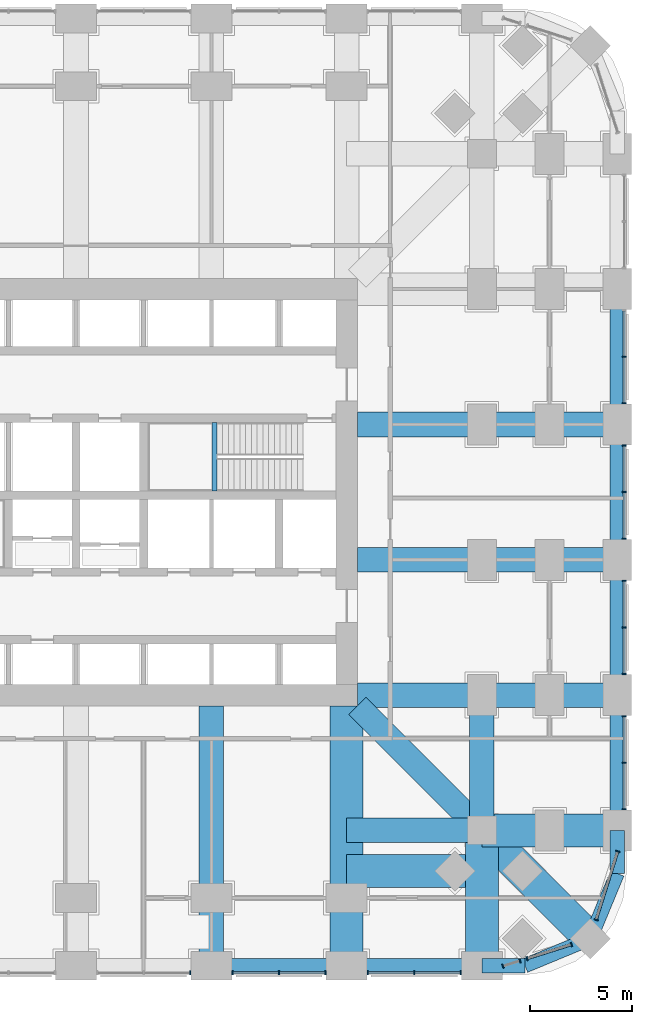
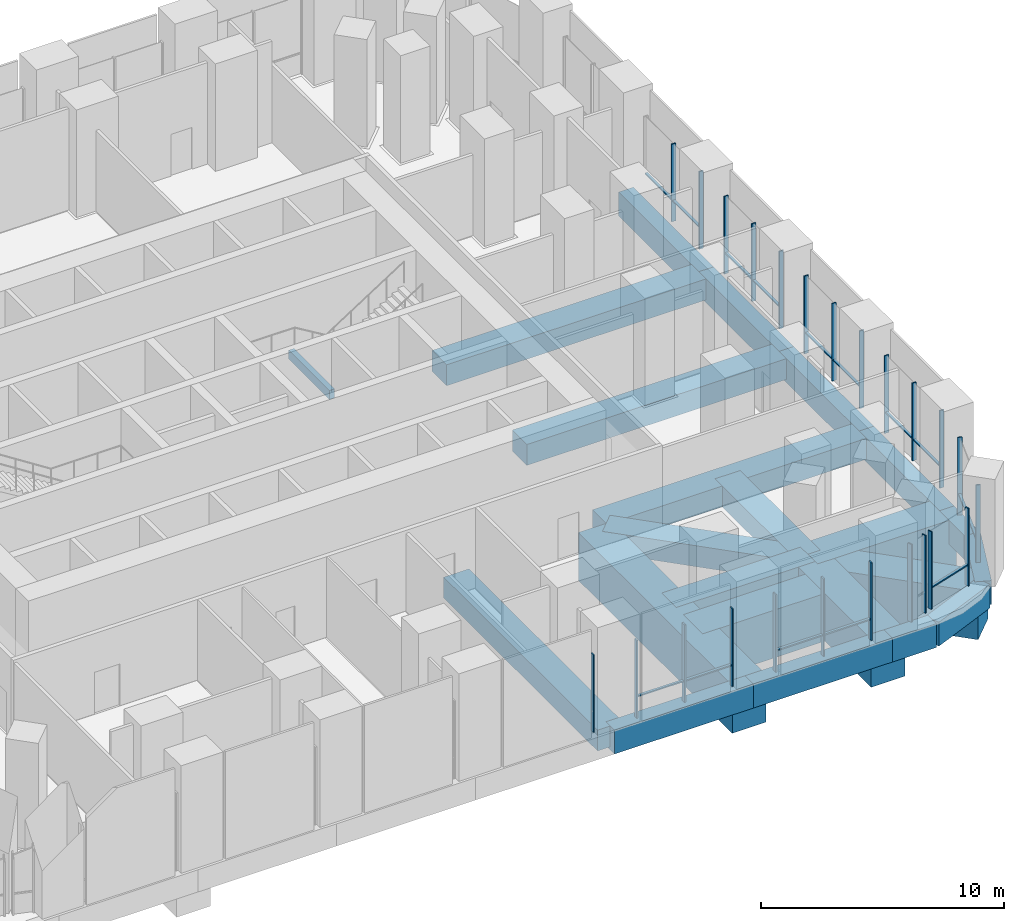
# One storey, part 4 of 17: 38 members, 23 beams, 10 elements without a shape of their own.
"""IFC4 building model written with IfcOpenShell, lengths in metres."""

from ifc_helpers import new_model, si_unit, direction, frame, origin, origin_2d, place, context, subcontext, project, spatial, rectangle, extrude, material, material_profile, profile_set, type_object, element, aggregate, save


model = new_model("IFC4")

# Units and contexts
model_context = context("Model", 3, precision=1e-05, world=origin(), true_north=direction((0.0, 1.0)))
body_context = subcontext(model_context, "Body", "Model", "MODEL_VIEW")
ifc_project = project(units=[si_unit("LENGTHUNIT", "METRE"), si_unit("AREAUNIT", "SQUARE_METRE"), si_unit("VOLUMEUNIT", "CUBIC_METRE"), si_unit("PLANEANGLEUNIT", "RADIAN"), si_unit("MASSUNIT", "GRAM", prefix="KILO")], contexts=[model_context])

# Site, building, storey
site_placement = place(None, origin())
site = spatial("IfcSite", under=ifc_project, at=site_placement, CompositionType="ELEMENT")
building_placement = place(site_placement, origin())
building = spatial("IfcBuilding", under=site, at=building_placement, Name="Cobogo Forest Laboratory Tower", CompositionType="ELEMENT")
storey_placement = place(building_placement, frame((0.0, 0.0, 7.199951171875)))
storey = spatial("IfcBuildingStorey", under=building, at=storey_placement, Name="L01", CompositionType="ELEMENT", Elevation=7.199951171875)

# Beams
ifc_material_1 = material(Name="Concrete HA-40 (C40/50)", Category="concrete")
ifc_material_profile_1 = material_profile(ifc_material_1, rectangle(XDim=0.25, YDim=0.449951171875, at=origin_2d()), Name="RC 250x450")
ifc_profile_set_1 = profile_set([ifc_material_profile_1], Name="Concrete HA-40 (C40/50)")
beam_type_1 = type_object("IfcBeamType", Name="LB1 landing beam 250x450", PredefinedType="BEAM", material=ifc_profile_set_1)
beam_1_placement = place(storey_placement, frame((33.14990234375, 23.14990234375, 2.275146484375), z_axis=(0.0, 1.0, 0.0), x_axis=(-1.0, 0.0, 0.0)))
element("IfcBeam", 1, at=beam_1_placement, inside=storey, type_object=beam_type_1, Name="Landing beam ST2 L01", PredefinedType="BEAM", context=body_context, shape_type="SweptSolid", body=[
    extrude(rectangle(XDim=0.25, YDim=0.449951171875, at=origin_2d()), origin(), (0.0, 0.0, 1.0), 3.35009765625),
])
ifc_material_profile_2 = material_profile(ifc_material_1, rectangle(XDim=1.199951171875, YDim=1.050048828125, at=origin_2d()), Name="RC 1200x1050")
ifc_profile_set_2 = profile_set([ifc_material_profile_2], Name="Concrete HA-40 (C40/50)")
beam_type_2 = type_object("IfcBeamType", Name="Laboratory floor wide beam 1200x1050", PredefinedType="BEAM", material=ifc_profile_set_2)
for number, where, z_axis, x_axis, name in (
    (2, (33.0, 12.675048828125, -0.824951171875), (0.0, -1.0, 0.0), (1.0, 0.0, 0.0), "RB1 R-6-S L01"),
    (3, (40.125, 13.199951171875, -0.824951171875), (1.0, 0.0, 0.0), (0.0, 1.0, 0.0), "RB1 R-C-E L01"),
    (4, (40.125, 19.800048828125, -0.824951171875), (1.0, 0.0, 0.0), (0.0, 1.0, 0.0), "RB1 R-D-E L01"),
    (5, (40.125, 26.39990234375, -0.824951171875), (1.0, 0.0, 0.0), (0.0, 1.0, 0.0), "RB1 R-E-E L01"),
):
    element("IfcBeam", number, at=place(storey_placement, frame(where, z_axis=z_axis, x_axis=x_axis)), inside=storey, type_object=beam_type_2, Name=name, PredefinedType="BEAM", context=body_context, shape_type="SweptSolid", body=[
        extrude(rectangle(XDim=1.199951171875, YDim=1.050048828125, at=origin_2d()), origin(), (0.0, 0.0, 1.0), 12.675048828125),
    ])
for number, where, z_axis, x_axis, name in (
    (6, (46.199951171875, 6.60009765625, -0.824951171875), (0.0, 1.0, 0.0), (-1.0, 0.0, 0.0), "RB1 G-SE-XC L01"),
    (7, (46.199951171875, 6.60009765625, -0.824951171875), (-1.0, 0.0, 0.0), (0.0, -1.0, 0.0), "RB1 G-SE-YC L01"),
):
    element("IfcBeam", number, at=place(storey_placement, frame(where, z_axis=z_axis, x_axis=x_axis)), inside=storey, type_object=beam_type_2, Name=name, PredefinedType="BEAM", context=body_context, shape_type="SweptSolid", body=[
        extrude(rectangle(XDim=1.199951171875, YDim=1.050048828125, at=origin_2d()), origin(), (0.0, 0.0, 1.0), 6.599853515625),
    ])
beam_2_placement = place(storey_placement, frame((46.199951171875, 6.60009765625, -0.824951171875), z_axis=(-0.707106781187, 0.707106781187, 0.0), x_axis=(-0.707106781187, -0.707106781187, 0.0)))
element("IfcBeam", 8, at=beam_2_placement, inside=storey, type_object=beam_type_2, Name="RB1 G-SE-D2 L01", PredefinedType="BEAM", context=body_context, shape_type="SweptSolid", body=[
    extrude(rectangle(XDim=1.199951171875, YDim=1.050048828125, at=origin_2d()), origin(), (0.0, 0.0, 1.0), 8.59130859375),
])

# Curtain wall, member
ifc_material_2 = material(Name="Aluminium curtain wall", Category="aluminium")
curtain_wall_type = type_object("IfcCurtainWallType", Name="CW-K stick curtain wall, podium laboratories", PredefinedType="USERDEFINED", material=ifc_material_2)
curtain_wall_1_placement = place(storey_placement, origin())
curtain_wall_1 = element("IfcCurtainWall", 9, at=curtain_wall_1_placement, inside=storey, type_object=curtain_wall_type, Name="Curtain wall 04 L01", ObjectType="STICK CURTAIN WALL", PredefinedType="USERDEFINED")
ifc_material_3 = material(Name="Aluminium mullion", Category="aluminium")
ifc_material_profile_3 = material_profile(ifc_material_3, rectangle(XDim=0.06005859375, YDim=0.199951171875, at=origin_2d()), Name="AL 60x200")
ifc_profile_set_3 = profile_set([ifc_material_profile_3], Name="Aluminium mullion")
member_type_1 = type_object("IfcMemberType", Name="MU-2 aluminium mullion 60x200", PredefinedType="MULLION", material=ifc_profile_set_3)
member_1_placement = place(storey_placement, frame((31.969970703125, -0.35009765625, 0.0), z_axis=(0.0, 0.0, 1.0), x_axis=(1.0, 0.0, 0.0)))
member_1 = element("IfcMember", 10, at=member_1_placement, type_object=member_type_1, Name="CW-K mullion 3", PredefinedType="MULLION", context=body_context, shape_type="SweptSolid", body=[
    extrude(rectangle(XDim=0.06005859375, YDim=0.199951171875, at=origin_2d()), origin(), (0.0, 0.0, 1.0), 3.900146484375),
])
aggregate(curtain_wall_1, [member_1])

# Curtain wall, members
curtain_wall_2_placement = place(storey_placement, origin())
curtain_wall_2 = element("IfcCurtainWall", 11, at=curtain_wall_2_placement, inside=storey, type_object=curtain_wall_type, Name="Curtain wall 05 L01", ObjectType="STICK CURTAIN WALL", PredefinedType="USERDEFINED")
member_2_placement = place(storey_placement, frame((34.030029296875, -0.35009765625, 0.0), z_axis=(0.0, 0.0, 1.0), x_axis=(1.0, 0.0, 0.0)))
member_2 = element("IfcMember", 12, at=member_2_placement, type_object=member_type_1, Name="CW-K mullion 1", PredefinedType="MULLION", context=body_context, shape_type="SweptSolid", body=[
    extrude(rectangle(XDim=0.06005859375, YDim=0.199951171875, at=origin_2d()), origin(), (0.0, 0.0, 1.0), 3.900146484375),
])
member_3_placement = place(storey_placement, frame((36.300048828125, -0.35009765625, 0.0), z_axis=(0.0, 0.0, 1.0), x_axis=(1.0, 0.0, 0.0)))
member_3 = element("IfcMember", 13, at=member_3_placement, type_object=member_type_1, Name="CW-K mullion 2", PredefinedType="MULLION", context=body_context, shape_type="SweptSolid", body=[
    extrude(rectangle(XDim=0.06005859375, YDim=0.199951171875, at=origin_2d()), origin(), (0.0, 0.0, 1.0), 3.900146484375),
])
member_4_placement = place(storey_placement, frame((38.570068359375, -0.35009765625, 0.0), z_axis=(0.0, 0.0, 1.0), x_axis=(1.0, 0.0, 0.0)))
member_4 = element("IfcMember", 14, at=member_4_placement, type_object=member_type_1, Name="CW-K mullion 3", PredefinedType="MULLION", context=body_context, shape_type="SweptSolid", body=[
    extrude(rectangle(XDim=0.06005859375, YDim=0.199951171875, at=origin_2d()), origin(), (0.0, 0.0, 1.0), 3.900146484375),
])

curtain_wall_3_placement = place(storey_placement, origin())
curtain_wall_3 = element("IfcCurtainWall", 15, at=curtain_wall_3_placement, inside=storey, type_object=curtain_wall_type, Name="Curtain wall 06 L01", ObjectType="STICK CURTAIN WALL", PredefinedType="USERDEFINED")
member_5_placement = place(storey_placement, frame((40.6298828125, -0.35009765625, 0.0), z_axis=(0.0, 0.0, 1.0), x_axis=(1.0, 0.0, 0.0)))
member_5 = element("IfcMember", 16, at=member_5_placement, type_object=member_type_1, Name="CW-K mullion 1", PredefinedType="MULLION", context=body_context, shape_type="SweptSolid", body=[
    extrude(rectangle(XDim=0.06005859375, YDim=0.199951171875, at=origin_2d()), origin(), (0.0, 0.0, 1.0), 3.900146484375),
])
member_6_placement = place(storey_placement, frame((42.89990234375, -0.35009765625, 0.0), z_axis=(0.0, 0.0, 1.0), x_axis=(1.0, 0.0, 0.0)))
member_6 = element("IfcMember", 17, at=member_6_placement, type_object=member_type_1, Name="CW-K mullion 2", PredefinedType="MULLION", context=body_context, shape_type="SweptSolid", body=[
    extrude(rectangle(XDim=0.06005859375, YDim=0.199951171875, at=origin_2d()), origin(), (0.0, 0.0, 1.0), 3.900146484375),
])
member_7_placement = place(storey_placement, frame((45.169921875, -0.35009765625, 0.0), z_axis=(0.0, 0.0, 1.0), x_axis=(1.0, 0.0, 0.0)))
member_7 = element("IfcMember", 18, at=member_7_placement, type_object=member_type_1, Name="CW-K mullion 3", PredefinedType="MULLION", context=body_context, shape_type="SweptSolid", body=[
    extrude(rectangle(XDim=0.06005859375, YDim=0.199951171875, at=origin_2d()), origin(), (0.0, 0.0, 1.0), 3.900146484375),
])

curtain_wall_4_placement = place(storey_placement, origin())
curtain_wall_4 = element("IfcCurtainWall", 19, at=curtain_wall_4_placement, inside=storey, type_object=curtain_wall_type, Name="Curtain wall 07 L01", ObjectType="STICK CURTAIN WALL", PredefinedType="USERDEFINED")
member_8_placement = place(storey_placement, frame((47.228515625, -0.025146484375, 0.0), z_axis=(0.0, 0.0, 1.0), x_axis=(0.953581406818, 0.301135352577, 0.0)))
member_8 = element("IfcMember", 20, at=member_8_placement, type_object=member_type_1, Name="CW-K mullion 1", PredefinedType="MULLION", context=body_context, shape_type="SweptSolid", body=[
    extrude(rectangle(XDim=0.06005859375, YDim=0.199951171875, at=origin_2d()), origin(), (0.0, 0.0, 1.0), 3.900146484375),
])
member_9_placement = place(storey_placement, frame((48.05322265625, 0.2353515625, 0.0), z_axis=(0.0, 0.0, 1.0), x_axis=(0.953581406818, 0.301135352577, 0.0)))
member_9 = element("IfcMember", 21, at=member_9_placement, type_object=member_type_1, Name="CW-K mullion 2", PredefinedType="MULLION", context=body_context, shape_type="SweptSolid", body=[
    extrude(rectangle(XDim=0.06005859375, YDim=0.199951171875, at=origin_2d()), origin(), (0.0, 0.0, 1.0), 3.900146484375),
])
aggregate(curtain_wall_4, [member_8, member_9])

curtain_wall_5_placement = place(storey_placement, origin())
curtain_wall_5 = element("IfcCurtainWall", 22, at=curtain_wall_5_placement, inside=storey, type_object=curtain_wall_type, Name="Curtain wall 08 L01", ObjectType="STICK CURTAIN WALL", PredefinedType="USERDEFINED")
member_10_placement = place(storey_placement, frame((48.403076171875, 0.345703125, 0.0), z_axis=(0.0, 0.0, 1.0), x_axis=(0.953581409645, 0.301135343623, 0.0)))
member_10 = element("IfcMember", 23, at=member_10_placement, type_object=member_type_1, Name="CW-K mullion 1", PredefinedType="MULLION", context=body_context, shape_type="SweptSolid", body=[
    extrude(rectangle(XDim=0.06005859375, YDim=0.199951171875, at=origin_2d()), origin(), (0.0, 0.0, 1.0), 3.900146484375),
])
member_11_placement = place(storey_placement, frame((50.561279296875, 1.02734375, 0.0), z_axis=(0.0, 0.0, 1.0), x_axis=(0.953581409645, 0.301135343623, 0.0)))
member_11 = element("IfcMember", 24, at=member_11_placement, type_object=member_type_1, Name="CW-K mullion 2", PredefinedType="MULLION", context=body_context, shape_type="SweptSolid", body=[
    extrude(rectangle(XDim=0.06005859375, YDim=0.199951171875, at=origin_2d()), origin(), (0.0, 0.0, 1.0), 3.900146484375),
])

curtain_wall_6_placement = place(storey_placement, origin())
curtain_wall_6 = element("IfcCurtainWall", 25, at=curtain_wall_6_placement, inside=storey, type_object=curtain_wall_type, Name="Curtain wall 09 L01", ObjectType="STICK CURTAIN WALL", PredefinedType="USERDEFINED")
member_12_placement = place(storey_placement, frame((51.772705078125, 2.23876953125, 0.0), z_axis=(0.0, 0.0, 1.0), x_axis=(0.301135433696, 0.953581381201, 0.0)))
member_12 = element("IfcMember", 26, at=member_12_placement, type_object=member_type_1, Name="CW-K mullion 1", PredefinedType="MULLION", context=body_context, shape_type="SweptSolid", body=[
    extrude(rectangle(XDim=0.06005859375, YDim=0.199951171875, at=origin_2d()), origin(), (0.0, 0.0, 1.0), 3.900146484375),
])
member_13_placement = place(storey_placement, frame((52.8251953125, 5.5712890625, 0.0), z_axis=(0.0, 0.0, 1.0), x_axis=(0.301135433696, 0.953581381201, 0.0)))
member_13 = element("IfcMember", 27, at=member_13_placement, type_object=member_type_1, Name="CW-K mullion 2", PredefinedType="MULLION", context=body_context, shape_type="SweptSolid", body=[
    extrude(rectangle(XDim=0.06005859375, YDim=0.199951171875, at=origin_2d()), origin(), (0.0, 0.0, 1.0), 3.900146484375),
])

curtain_wall_7_placement = place(storey_placement, origin())
curtain_wall_7 = element("IfcCurtainWall", 28, at=curtain_wall_7_placement, inside=storey, type_object=curtain_wall_type, Name="Curtain wall 10 L01", ObjectType="STICK CURTAIN WALL", PredefinedType="USERDEFINED")
member_14_placement = place(storey_placement, frame((53.14990234375, 7.6298828125, 0.0), z_axis=(0.0, 0.0, 1.0), x_axis=(0.0, 1.0, 0.0)))
member_14 = element("IfcMember", 29, at=member_14_placement, type_object=member_type_1, Name="CW-K mullion 1", PredefinedType="MULLION", context=body_context, shape_type="SweptSolid", body=[
    extrude(rectangle(XDim=0.06005859375, YDim=0.199951171875, at=origin_2d()), origin(), (0.0, 0.0, 1.0), 3.900146484375),
])
member_15_placement = place(storey_placement, frame((53.14990234375, 9.89990234375, 0.0), z_axis=(0.0, 0.0, 1.0), x_axis=(0.0, 1.0, 0.0)))
member_15 = element("IfcMember", 30, at=member_15_placement, type_object=member_type_1, Name="CW-K mullion 2", PredefinedType="MULLION", context=body_context, shape_type="SweptSolid", body=[
    extrude(rectangle(XDim=0.06005859375, YDim=0.199951171875, at=origin_2d()), origin(), (0.0, 0.0, 1.0), 3.900146484375),
])
member_16_placement = place(storey_placement, frame((53.14990234375, 12.169921875, 0.0), z_axis=(0.0, 0.0, 1.0), x_axis=(0.0, 1.0, 0.0)))
member_16 = element("IfcMember", 31, at=member_16_placement, type_object=member_type_1, Name="CW-K mullion 3", PredefinedType="MULLION", context=body_context, shape_type="SweptSolid", body=[
    extrude(rectangle(XDim=0.06005859375, YDim=0.199951171875, at=origin_2d()), origin(), (0.0, 0.0, 1.0), 3.900146484375),
])

curtain_wall_8_placement = place(storey_placement, origin())
curtain_wall_8 = element("IfcCurtainWall", 32, at=curtain_wall_8_placement, inside=storey, type_object=curtain_wall_type, Name="Curtain wall 11 L01", ObjectType="STICK CURTAIN WALL", PredefinedType="USERDEFINED")
member_17_placement = place(storey_placement, frame((53.14990234375, 14.22998046875, 0.0), z_axis=(0.0, 0.0, 1.0), x_axis=(0.0, 1.0, 0.0)))
member_17 = element("IfcMember", 33, at=member_17_placement, type_object=member_type_1, Name="CW-K mullion 1", PredefinedType="MULLION", context=body_context, shape_type="SweptSolid", body=[
    extrude(rectangle(XDim=0.06005859375, YDim=0.199951171875, at=origin_2d()), origin(), (0.0, 0.0, 1.0), 3.900146484375),
])
member_18_placement = place(storey_placement, frame((53.14990234375, 16.5, 0.0), z_axis=(0.0, 0.0, 1.0), x_axis=(0.0, 1.0, 0.0)))
member_18 = element("IfcMember", 34, at=member_18_placement, type_object=member_type_1, Name="CW-K mullion 2", PredefinedType="MULLION", context=body_context, shape_type="SweptSolid", body=[
    extrude(rectangle(XDim=0.06005859375, YDim=0.199951171875, at=origin_2d()), origin(), (0.0, 0.0, 1.0), 3.900146484375),
])
member_19_placement = place(storey_placement, frame((53.14990234375, 18.77001953125, 0.0), z_axis=(0.0, 0.0, 1.0), x_axis=(0.0, 1.0, 0.0)))
member_19 = element("IfcMember", 35, at=member_19_placement, type_object=member_type_1, Name="CW-K mullion 3", PredefinedType="MULLION", context=body_context, shape_type="SweptSolid", body=[
    extrude(rectangle(XDim=0.06005859375, YDim=0.199951171875, at=origin_2d()), origin(), (0.0, 0.0, 1.0), 3.900146484375),
])

curtain_wall_9_placement = place(storey_placement, origin())
curtain_wall_9 = element("IfcCurtainWall", 36, at=curtain_wall_9_placement, inside=storey, type_object=curtain_wall_type, Name="Curtain wall 12 L01", ObjectType="STICK CURTAIN WALL", PredefinedType="USERDEFINED")
member_20_placement = place(storey_placement, frame((53.14990234375, 20.830078125, 0.0), z_axis=(0.0, 0.0, 1.0), x_axis=(0.0, 1.0, 0.0)))
member_20 = element("IfcMember", 37, at=member_20_placement, type_object=member_type_1, Name="CW-K mullion 1", PredefinedType="MULLION", context=body_context, shape_type="SweptSolid", body=[
    extrude(rectangle(XDim=0.06005859375, YDim=0.199951171875, at=origin_2d()), origin(), (0.0, 0.0, 1.0), 3.900146484375),
])
member_21_placement = place(storey_placement, frame((53.14990234375, 23.10009765625, 0.0), z_axis=(0.0, 0.0, 1.0), x_axis=(0.0, 1.0, 0.0)))
member_21 = element("IfcMember", 38, at=member_21_placement, type_object=member_type_1, Name="CW-K mullion 2", PredefinedType="MULLION", context=body_context, shape_type="SweptSolid", body=[
    extrude(rectangle(XDim=0.06005859375, YDim=0.199951171875, at=origin_2d()), origin(), (0.0, 0.0, 1.0), 3.900146484375),
])
member_22_placement = place(storey_placement, frame((53.14990234375, 25.3701171875, 0.0), z_axis=(0.0, 0.0, 1.0), x_axis=(0.0, 1.0, 0.0)))
member_22 = element("IfcMember", 39, at=member_22_placement, type_object=member_type_1, Name="CW-K mullion 3", PredefinedType="MULLION", context=body_context, shape_type="SweptSolid", body=[
    extrude(rectangle(XDim=0.06005859375, YDim=0.199951171875, at=origin_2d()), origin(), (0.0, 0.0, 1.0), 3.900146484375),
])

curtain_wall_10_placement = place(storey_placement, origin())
curtain_wall_10 = element("IfcCurtainWall", 40, at=curtain_wall_10_placement, inside=storey, type_object=curtain_wall_type, Name="Curtain wall 13 L01", ObjectType="STICK CURTAIN WALL", PredefinedType="USERDEFINED")
member_23_placement = place(storey_placement, frame((53.14990234375, 27.429931640625, 0.0), z_axis=(0.0, 0.0, 1.0), x_axis=(0.0, 1.0, 0.0)))
member_23 = element("IfcMember", 41, at=member_23_placement, type_object=member_type_1, Name="CW-K mullion 1", PredefinedType="MULLION", context=body_context, shape_type="SweptSolid", body=[
    extrude(rectangle(XDim=0.06005859375, YDim=0.199951171875, at=origin_2d()), origin(), (0.0, 0.0, 1.0), 3.900146484375),
])
member_24_placement = place(storey_placement, frame((53.14990234375, 29.699951171875, 0.0), z_axis=(0.0, 0.0, 1.0), x_axis=(0.0, 1.0, 0.0)))
member_24 = element("IfcMember", 42, at=member_24_placement, type_object=member_type_1, Name="CW-K mullion 2", PredefinedType="MULLION", context=body_context, shape_type="SweptSolid", body=[
    extrude(rectangle(XDim=0.06005859375, YDim=0.199951171875, at=origin_2d()), origin(), (0.0, 0.0, 1.0), 3.900146484375),
])

# Beams
ifc_material_profile_4 = material_profile(ifc_material_1, rectangle(XDim=0.699951171875, YDim=1.199951171875, at=origin_2d()), Name="RC 700x1200")
ifc_profile_set_4 = profile_set([ifc_material_profile_4], Name="Concrete HA-40 (C40/50)")
beam_type_3 = type_object("IfcBeamType", Name="Perimeter edge beam 700x1200", PredefinedType="BEAM", material=ifc_profile_set_4)
beam_3_placement = place(storey_placement, frame((33.0, 0.0, -0.89990234375), z_axis=(1.0, 0.0, 0.0), x_axis=(0.0, 1.0, 0.0)))
element("IfcBeam", 43, at=beam_3_placement, inside=storey, type_object=beam_type_3, Name="EB1 E-S5 L01", PredefinedType="BEAM", context=body_context, shape_type="SweptSolid", body=[
    extrude(rectangle(XDim=0.699951171875, YDim=1.199951171875, at=origin_2d()), origin(), (0.0, 0.0, 1.0), 6.60009765625),
])
for number, where, z_axis, x_axis, name in (
    (44, (39.60009765625, 0.0, -0.89990234375), (1.0, 0.0, 0.0), (0.0, 1.0, 0.0), "EB1 E-S6 L01"),
    (45, (52.800048828125, 6.60009765625, -0.89990234375), (0.0, 1.0, 0.0), (-1.0, 0.0, 0.0), "EB1 E-E1 L01"),
):
    element("IfcBeam", number, at=place(storey_placement, frame(where, z_axis=z_axis, x_axis=x_axis)), inside=storey, type_object=beam_type_3, Name=name, PredefinedType="BEAM", context=body_context, shape_type="SweptSolid", body=[
        extrude(rectangle(XDim=0.699951171875, YDim=1.199951171875, at=origin_2d()), origin(), (0.0, 0.0, 1.0), 6.599853515625),
    ])
beam_4_placement = place(storey_placement, frame((52.800048828125, 13.199951171875, -0.89990234375), z_axis=(0.0, 1.0, 0.0), x_axis=(-1.0, 0.0, 0.0)))
element("IfcBeam", 46, at=beam_4_placement, inside=storey, type_object=beam_type_3, Name="EB1 E-E2 L01", PredefinedType="BEAM", context=body_context, shape_type="SweptSolid", body=[
    extrude(rectangle(XDim=0.699951171875, YDim=1.199951171875, at=origin_2d()), origin(), (0.0, 0.0, 1.0), 6.60009765625),
])
beam_5_placement = place(storey_placement, frame((52.800048828125, 19.800048828125, -0.89990234375), z_axis=(0.0, 1.0, 0.0), x_axis=(-1.0, 0.0, 0.0)))
element("IfcBeam", 47, at=beam_5_placement, inside=storey, type_object=beam_type_3, Name="EB1 E-E3 L01", PredefinedType="BEAM", context=body_context, shape_type="SweptSolid", body=[
    extrude(rectangle(XDim=0.699951171875, YDim=1.199951171875, at=origin_2d()), origin(), (0.0, 0.0, 1.0), 6.599853515625),
])
beam_6_placement = place(storey_placement, frame((52.800048828125, 26.39990234375, -0.89990234375), z_axis=(0.0, 1.0, 0.0), x_axis=(-1.0, 0.0, 0.0)))
element("IfcBeam", 48, at=beam_6_placement, inside=storey, type_object=beam_type_3, Name="EB1 E-E4 L01", PredefinedType="BEAM", context=body_context, shape_type="SweptSolid", body=[
    extrude(rectangle(XDim=0.699951171875, YDim=1.199951171875, at=origin_2d()), origin(), (0.0, 0.0, 1.0), 6.60009765625),
])
beam_7_placement = place(storey_placement, frame((46.199951171875, 0.0, -0.89990234375), z_axis=(1.0, 0.0, 0.0), x_axis=(0.0, 1.0, 0.0)))
element("IfcBeam", 49, at=beam_7_placement, inside=storey, type_object=beam_type_3, Name="EB1 E-SES1 L01", PredefinedType="BEAM", context=body_context, shape_type="SweptSolid", body=[
    extrude(rectangle(XDim=0.699951171875, YDim=1.199951171875, at=origin_2d()), origin(), (0.0, 0.0, 1.0), 2.10009765625),
])
beam_8_placement = place(storey_placement, frame((48.300048828125, 0.0, -0.89990234375), z_axis=(0.923865631356, 0.382716990999, 0.0), x_axis=(-0.382716990999, 0.923865631356, 0.0)))
element("IfcBeam", 50, at=beam_8_placement, inside=storey, type_object=beam_type_3, Name="EB1 E-SES2 L01", PredefinedType="BEAM", context=body_context, shape_type="SweptSolid", body=[
    extrude(rectangle(XDim=0.699951171875, YDim=1.199951171875, at=origin_2d()), origin(), (0.0, 0.0, 1.0), 3.444091796875),
])
beam_9_placement = place(storey_placement, frame((52.800048828125, 6.60009765625, -0.89990234375), z_axis=(0.0, -1.0, 0.0), x_axis=(1.0, 0.0, 0.0)))
element("IfcBeam", 51, at=beam_9_placement, inside=storey, type_object=beam_type_3, Name="EB1 E-SEE1 L01", PredefinedType="BEAM", context=body_context, shape_type="SweptSolid", body=[
    extrude(rectangle(XDim=0.699951171875, YDim=1.199951171875, at=origin_2d()), origin(), (0.0, 0.0, 1.0), 2.10009765625),
])
beam_10_placement = place(storey_placement, frame((52.800048828125, 4.5, -0.89990234375), z_axis=(-0.382716990999, -0.923865631356, 0.0), x_axis=(0.923865631356, -0.382716990999, 0.0)))
element("IfcBeam", 52, at=beam_10_placement, inside=storey, type_object=beam_type_3, Name="EB1 E-SEE2 L01", PredefinedType="BEAM", context=body_context, shape_type="SweptSolid", body=[
    extrude(rectangle(XDim=0.699951171875, YDim=1.199951171875, at=origin_2d()), origin(), (0.0, 0.0, 1.0), 3.444091796875),
])
ifc_material_4 = material(Name="Concrete HA-50 (C50/60)", Category="concrete")
ifc_material_profile_5 = material_profile(ifc_material_4, rectangle(XDim=1.60009765625, YDim=2.39990234375, at=origin_2d()), Name="RC 1600x2400")
ifc_profile_set_5 = profile_set([ifc_material_profile_5], Name="Concrete HA-50 (C50/60)")
beam_type_4 = type_object("IfcBeamType", Name="Podium transfer girder 1600x2400", PredefinedType="BEAM", material=ifc_profile_set_5)
beam_11_placement = place(storey_placement, frame((39.60009765625, 12.675048828125, -1.5), z_axis=(0.0, -1.0, 0.0), x_axis=(1.0, 0.0, 0.0)))
element("IfcBeam", 53, at=beam_11_placement, inside=storey, type_object=beam_type_4, Name="TG4 R-7-S L01", PredefinedType="BEAM", context=body_context, shape_type="SweptSolid", body=[
    extrude(rectangle(XDim=1.60009765625, YDim=2.39990234375, at=origin_2d()), origin(), (0.0, 0.0, 1.0), 12.675048828125),
])
for number, where, z_axis, x_axis, name in (
    (54, (46.199951171875, 0.0, -1.5), (0.0, 1.0, 0.0), (-1.0, 0.0, 0.0), "TG4 G-SE-XF L01"),
    (55, (52.800048828125, 6.60009765625, -1.5), (-1.0, 0.0, 0.0), (0.0, -1.0, 0.0), "TG4 G-SE-YF L01"),
):
    element("IfcBeam", number, at=place(storey_placement, frame(where, z_axis=z_axis, x_axis=x_axis)), inside=storey, type_object=beam_type_4, Name=name, PredefinedType="BEAM", context=body_context, shape_type="SweptSolid", body=[
        extrude(rectangle(XDim=1.60009765625, YDim=2.39990234375, at=origin_2d()), origin(), (0.0, 0.0, 1.0), 6.60009765625),
    ])
beam_12_placement = place(storey_placement, frame((51.48193359375, 1.318115234375, -1.5), z_axis=(-0.707106781187, 0.707106781187, 0.0), x_axis=(-0.707106781187, -0.707106781187, 0.0)))
element("IfcBeam", 56, at=beam_12_placement, inside=storey, type_object=beam_type_4, Name="TG4 G-SE-D1 L01", PredefinedType="BEAM", context=body_context, shape_type="SweptSolid", body=[
    extrude(rectangle(XDim=1.60009765625, YDim=2.39990234375, at=origin_2d()), origin(), (0.0, 0.0, 1.0), 7.469970703125),
])
beam_13_placement = place(storey_placement, frame((39.60009765625, 4.617919921875, -1.5), z_axis=(1.0, 0.0, 0.0), x_axis=(0.0, 1.0, 0.0)))
element("IfcBeam", 57, at=beam_13_placement, inside=storey, type_object=beam_type_4, Name="TG4 T-CNR-SE-D L01", PredefinedType="BEAM", context=body_context, shape_type="SweptSolid", body=[
    extrude(rectangle(XDim=1.60009765625, YDim=2.39990234375, at=origin_2d()), origin(), (0.0, 0.0, 1.0), 6.599853515625),
])

# Member
ifc_material_5 = material(Name="Aluminium transom", Category="aluminium")
ifc_material_profile_6 = material_profile(ifc_material_5, rectangle(XDim=0.1201171875, YDim=0.06005859375, at=origin_2d()), Name="AL 60x120")
ifc_profile_set_6 = profile_set([ifc_material_profile_6], Name="Aluminium transom")
member_type_2 = type_object("IfcMemberType", Name="TR-1 aluminium transom 60x120", PredefinedType="USERDEFINED", material=ifc_profile_set_6)
member_25_placement = place(storey_placement, frame((34.06005859375, -0.35009765625, 1.050048828125), z_axis=(1.0, 0.0, 0.0), x_axis=(0.0, 1.0, 0.0)))
member_25 = element("IfcMember", 58, at=member_25_placement, type_object=member_type_2, Name="CW-K transom 1.1", ObjectType="TRANSOM", PredefinedType="USERDEFINED", context=body_context, shape_type="SweptSolid", body=[
    extrude(rectangle(XDim=0.1201171875, YDim=0.06005859375, at=origin_2d()), origin(), (0.0, 0.0, 1.0), 2.2099609375),
])

member_26_placement = place(storey_placement, frame((36.330078125, -0.35009765625, 1.050048828125), z_axis=(1.0, 0.0, 0.0), x_axis=(0.0, 1.0, 0.0)))
member_26 = element("IfcMember", 59, at=member_26_placement, type_object=member_type_2, Name="CW-K transom 2.1", ObjectType="TRANSOM", PredefinedType="USERDEFINED", context=body_context, shape_type="SweptSolid", body=[
    extrude(rectangle(XDim=0.1201171875, YDim=0.06005859375, at=origin_2d()), origin(), (0.0, 0.0, 1.0), 2.2099609375),
])

aggregate(curtain_wall_2, [member_2, member_3, member_4, member_25, member_26])

member_27_placement = place(storey_placement, frame((40.659912109375, -0.35009765625, 1.050048828125), z_axis=(1.0, 0.0, 0.0), x_axis=(0.0, 1.0, 0.0)))
member_27 = element("IfcMember", 60, at=member_27_placement, type_object=member_type_2, Name="CW-K transom 1.1", ObjectType="TRANSOM", PredefinedType="USERDEFINED", context=body_context, shape_type="SweptSolid", body=[
    extrude(rectangle(XDim=0.1201171875, YDim=0.06005859375, at=origin_2d()), origin(), (0.0, 0.0, 1.0), 2.210205078125),
])

member_28_placement = place(storey_placement, frame((42.929931640625, -0.35009765625, 1.050048828125), z_axis=(1.0, 0.0, 0.0), x_axis=(0.0, 1.0, 0.0)))
member_28 = element("IfcMember", 61, at=member_28_placement, type_object=member_type_2, Name="CW-K transom 2.1", ObjectType="TRANSOM", PredefinedType="USERDEFINED", context=body_context, shape_type="SweptSolid", body=[
    extrude(rectangle(XDim=0.1201171875, YDim=0.06005859375, at=origin_2d()), origin(), (0.0, 0.0, 1.0), 2.2099609375),
])

aggregate(curtain_wall_3, [member_5, member_6, member_7, member_27, member_28])

member_29_placement = place(storey_placement, frame((48.431640625, 0.354736328125, 1.050048828125), z_axis=(0.953572616955, 0.301163185322, 0.0), x_axis=(-0.301163185322, 0.953572616955, 0.0)))
member_29 = element("IfcMember", 62, at=member_29_placement, type_object=member_type_2, Name="CW-K transom 1.1", ObjectType="TRANSOM", PredefinedType="USERDEFINED", context=body_context, shape_type="SweptSolid", body=[
    extrude(rectangle(XDim=0.1201171875, YDim=0.06005859375, at=origin_2d()), origin(), (0.0, 0.0, 1.0), 2.203369140625),
])

aggregate(curtain_wall_5, [member_10, member_11, member_29])

member_30_placement = place(storey_placement, frame((51.78173828125, 2.267333984375, 1.050048828125), z_axis=(0.301155179686, 0.953575145308, 0.0), x_axis=(-0.953575145308, 0.301155179686, 0.0)))
member_30 = element("IfcMember", 63, at=member_30_placement, type_object=member_type_2, Name="CW-K transom 1.1", ObjectType="TRANSOM", PredefinedType="USERDEFINED", context=body_context, shape_type="SweptSolid", body=[
    extrude(rectangle(XDim=0.1201171875, YDim=0.06005859375, at=origin_2d()), origin(), (0.0, 0.0, 1.0), 3.434814453125),
])

aggregate(curtain_wall_6, [member_12, member_13, member_30])

member_31_placement = place(storey_placement, frame((53.14990234375, 7.659912109375, 1.050048828125), z_axis=(0.0, 1.0, 0.0), x_axis=(-1.0, 0.0, 0.0)))
member_31 = element("IfcMember", 64, at=member_31_placement, type_object=member_type_2, Name="CW-K transom 1.1", ObjectType="TRANSOM", PredefinedType="USERDEFINED", context=body_context, shape_type="SweptSolid", body=[
    extrude(rectangle(XDim=0.1201171875, YDim=0.06005859375, at=origin_2d()), origin(), (0.0, 0.0, 1.0), 2.210205078125),
])

member_32_placement = place(storey_placement, frame((53.14990234375, 9.929931640625, 1.050048828125), z_axis=(0.0, 1.0, 0.0), x_axis=(-1.0, 0.0, 0.0)))
member_32 = element("IfcMember", 65, at=member_32_placement, type_object=member_type_2, Name="CW-K transom 2.1", ObjectType="TRANSOM", PredefinedType="USERDEFINED", context=body_context, shape_type="SweptSolid", body=[
    extrude(rectangle(XDim=0.1201171875, YDim=0.06005859375, at=origin_2d()), origin(), (0.0, 0.0, 1.0), 2.2099609375),
])

aggregate(curtain_wall_7, [member_14, member_15, member_16, member_31, member_32])

member_33_placement = place(storey_placement, frame((53.14990234375, 14.260009765625, 1.050048828125), z_axis=(0.0, 1.0, 0.0), x_axis=(-1.0, 0.0, 0.0)))
member_33 = element("IfcMember", 66, at=member_33_placement, type_object=member_type_2, Name="CW-K transom 1.1", ObjectType="TRANSOM", PredefinedType="USERDEFINED", context=body_context, shape_type="SweptSolid", body=[
    extrude(rectangle(XDim=0.1201171875, YDim=0.06005859375, at=origin_2d()), origin(), (0.0, 0.0, 1.0), 2.2099609375),
])

member_34_placement = place(storey_placement, frame((53.14990234375, 16.530029296875, 1.050048828125), z_axis=(0.0, 1.0, 0.0), x_axis=(-1.0, 0.0, 0.0)))
member_34 = element("IfcMember", 67, at=member_34_placement, type_object=member_type_2, Name="CW-K transom 2.1", ObjectType="TRANSOM", PredefinedType="USERDEFINED", context=body_context, shape_type="SweptSolid", body=[
    extrude(rectangle(XDim=0.1201171875, YDim=0.06005859375, at=origin_2d()), origin(), (0.0, 0.0, 1.0), 2.2099609375),
])

aggregate(curtain_wall_8, [member_17, member_18, member_19, member_33, member_34])

member_35_placement = place(storey_placement, frame((53.14990234375, 20.860107421875, 1.050048828125), z_axis=(0.0, 1.0, 0.0), x_axis=(-1.0, 0.0, 0.0)))
member_35 = element("IfcMember", 68, at=member_35_placement, type_object=member_type_2, Name="CW-K transom 1.1", ObjectType="TRANSOM", PredefinedType="USERDEFINED", context=body_context, shape_type="SweptSolid", body=[
    extrude(rectangle(XDim=0.1201171875, YDim=0.06005859375, at=origin_2d()), origin(), (0.0, 0.0, 1.0), 2.2099609375),
])

member_36_placement = place(storey_placement, frame((53.14990234375, 23.1298828125, 1.050048828125), z_axis=(0.0, 1.0, 0.0), x_axis=(-1.0, 0.0, 0.0)))
member_36 = element("IfcMember", 69, at=member_36_placement, type_object=member_type_2, Name="CW-K transom 2.1", ObjectType="TRANSOM", PredefinedType="USERDEFINED", context=body_context, shape_type="SweptSolid", body=[
    extrude(rectangle(XDim=0.1201171875, YDim=0.06005859375, at=origin_2d()), origin(), (0.0, 0.0, 1.0), 2.210205078125),
])

aggregate(curtain_wall_9, [member_20, member_21, member_22, member_35, member_36])

member_37_placement = place(storey_placement, frame((53.14990234375, 27.4599609375, 1.050048828125), z_axis=(0.0, 1.0, 0.0), x_axis=(-1.0, 0.0, 0.0)))
member_37 = element("IfcMember", 70, at=member_37_placement, type_object=member_type_2, Name="CW-K transom 1.1", ObjectType="TRANSOM", PredefinedType="USERDEFINED", context=body_context, shape_type="SweptSolid", body=[
    extrude(rectangle(XDim=0.1201171875, YDim=0.06005859375, at=origin_2d()), origin(), (0.0, 0.0, 1.0), 2.2099609375),
])

member_38_placement = place(storey_placement, frame((53.14990234375, 29.72998046875, 1.050048828125), z_axis=(0.0, 1.0, 0.0), x_axis=(-1.0, 0.0, 0.0)))
member_38 = element("IfcMember", 71, at=member_38_placement, type_object=member_type_2, Name="CW-K transom 2.1", ObjectType="TRANSOM", PredefinedType="USERDEFINED", context=body_context, shape_type="SweptSolid", body=[
    extrude(rectangle(XDim=0.1201171875, YDim=0.06005859375, at=origin_2d()), origin(), (0.0, 0.0, 1.0), 2.2099609375),
])

aggregate(curtain_wall_10, [member_23, member_24, member_37, member_38])

save(model, "model.ifc")
